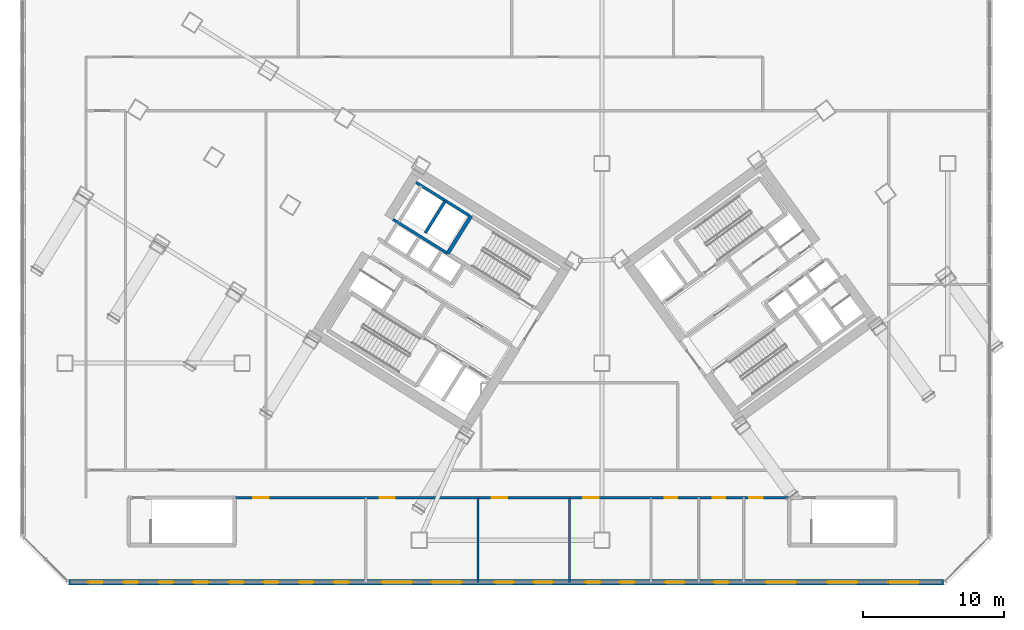
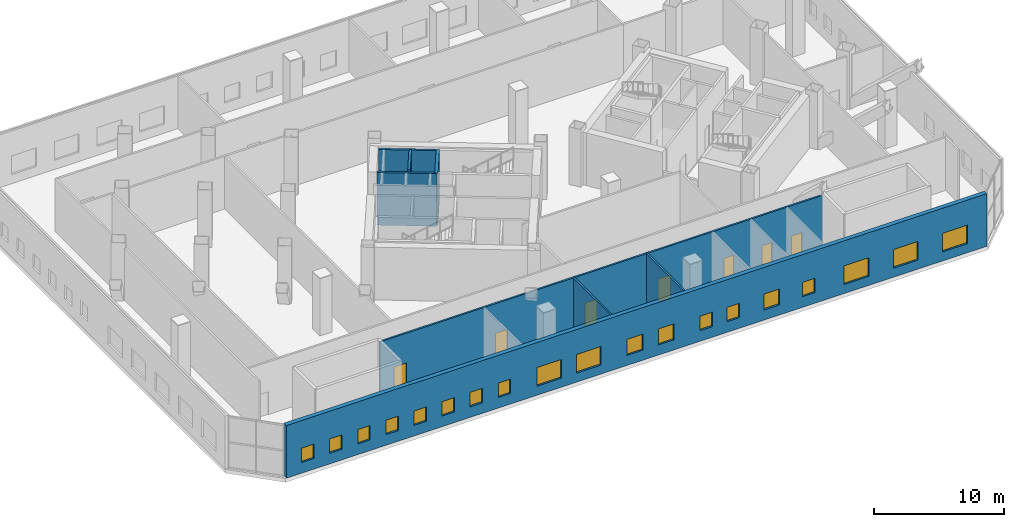
# One storey, part 14 of 23: 19 windows, 8 walls, 7 doors, 26 openings.
"""IFC4 building model written with IfcOpenShell, lengths in metres."""

import ifcopenshell
import ifcopenshell.guid

model = None  # the IFC model being written
_history = None  # IfcOwnerHistory: only IFC2X3 demands one
_inside = {}  # id of a spatial element -> (the spatial element, [elements in it])
_under = {}  # id of a project, library or spatial element -> (it, [spatial elements below it])
_declared = {}  # id of a project -> (the project, [libraries it declares])
_typed = {}  # id of a type object -> (the type object, [elements of that type])
_made_of = {}  # id of a material, layer set ... -> (it, [elements and type objects made of it])


def new_model(schema):
    """Start an empty IFC model of exactly this schema.

    Asked for "IFC4X3", IfcOpenShell would pick the latest addendum, in which some entities
    have other attributes; the version numbers below select the first issue.
    IFC2X3 requires an IfcOwnerHistory on every rooted entity: one is made here for all.
    """
    global model, _history
    if schema == "IFC4X3":
        model = ifcopenshell.file(schema_version=(4, 3, 0, 0))
    else:
        model = ifcopenshell.file(schema=schema)
    _inside.clear()
    _under.clear()
    _declared.clear()
    _typed.clear()
    _made_of.clear()
    _history = None
    if model.schema == "IFC2X3":
        org = make("IfcOrganization", Name="unknown")
        user = make(
            "IfcPersonAndOrganization",
            ThePerson=make("IfcPerson", FamilyName="unknown"),
            TheOrganization=org,
        )
        app = make(
            "IfcApplication",
            ApplicationDeveloper=org,
            Version="unknown",
            ApplicationFullName="unknown",
            ApplicationIdentifier="unknown",
        )
        _history = make(
            "IfcOwnerHistory",
            OwningUser=user,
            OwningApplication=app,
            ChangeAction="ADDED",
            CreationDate=0,
        )
    return model


def make(cls, **values):
    """One entity of the class cls with the attributes given. An attribute that is None is left unset."""
    return model.create_entity(
        cls, **{name: value for name, value in values.items() if value is not None}
    )


def rooted(cls, **values):
    """An entity with a GlobalId (a new one), such as an element, a storey or a relation."""
    return make(cls, GlobalId=ifcopenshell.guid.new(), OwnerHistory=_history, **values)


def si_unit(unit_type, name, prefix=None):
    """IfcSIUnit, for example si_unit("LENGTHUNIT", "METRE", prefix="MILLI")."""
    return make("IfcSIUnit", UnitType=unit_type, Prefix=prefix, Name=name)


def assignment(units):
    """IfcUnitAssignment: the units of a project."""
    return None if units is None else make("IfcUnitAssignment", Units=units)


def point(xyz):
    """IfcCartesianPoint."""
    return None if xyz is None else make("IfcCartesianPoint", Coordinates=xyz)


def direction(xyz):
    """IfcDirection."""
    return None if xyz is None else make("IfcDirection", DirectionRatios=xyz)


def frame(location, z_axis=None, x_axis=None):
    """IfcAxis2Placement3D, a coordinate frame: its origin and axes. An axis left out is left unset."""
    return make(
        "IfcAxis2Placement3D",
        Location=point(location),
        Axis=direction(z_axis),
        RefDirection=direction(x_axis),
    )


def frame_2d(location, x_axis=None):
    """IfcAxis2Placement2D, a coordinate frame in the plane: its origin and x axis."""
    return make(
        "IfcAxis2Placement2D", Location=point(location), RefDirection=direction(x_axis)
    )


def origin():
    """The frame at (0, 0, 0) with its axes left unset."""
    return frame((0.0, 0.0, 0.0))


def place(relative_to, where):
    """IfcLocalPlacement: puts the frame where relative to a parent placement (None: the world)."""
    return make(
        "IfcLocalPlacement", PlacementRelTo=relative_to, RelativePlacement=where
    )


def context(
    kind, dimensions, precision=None, world=None, true_north=None, identifier=None
):
    """IfcGeometricRepresentationContext, for example the 3D "Model" context."""
    return make(
        "IfcGeometricRepresentationContext",
        ContextIdentifier=identifier,
        ContextType=kind,
        CoordinateSpaceDimension=dimensions,
        Precision=precision,
        WorldCoordinateSystem=world,
        TrueNorth=true_north,
    )


def subcontext(parent, identifier, kind, view, scale=None):
    """IfcGeometricRepresentationSubContext, for example "Body" below "Model"."""
    return make(
        "IfcGeometricRepresentationSubContext",
        ContextIdentifier=identifier,
        ContextType=kind,
        ParentContext=parent,
        TargetScale=scale,
        TargetView=view,
    )


def project(units=None, contexts=None):
    """IfcProject with its units and contexts."""
    return rooted(
        "IfcProject",
        Name="project",
        RepresentationContexts=contexts,
        UnitsInContext=assignment(units),
    )


def spatial(cls, under=None, at=None, **own):
    """A site, building, storey or space (cls), placed at a placement, below another one or the project."""
    s = rooted(cls, ObjectPlacement=at, **own)
    if under is not None:
        _under.setdefault(under.id(), (under, []))[1].append(s)
    return s


def profile(cls, at=None, kind="AREA", **sizes):
    """A parametric profile (cls). Its sizes go by their IFC names, for example OverallWidth=200.0."""
    return make(cls, ProfileType=kind, Position=at, **sizes)


def rectangle(**sizes):
    """IfcRectangleProfileDef."""
    return profile("IfcRectangleProfileDef", **sizes)


def extrude(swept, where, along, depth):
    """IfcExtrudedAreaSolid: the profile swept, set in the frame where, extruded along a direction by depth."""
    return make(
        "IfcExtrudedAreaSolid",
        SweptArea=swept,
        Position=where,
        ExtrudedDirection=direction(along),
        Depth=depth,
    )


def shape(context_of_items, identifier, shape_type, items):
    """IfcShapeRepresentation: the items that make up one representation, for example the "Body"."""
    return make(
        "IfcShapeRepresentation",
        ContextOfItems=context_of_items,
        RepresentationIdentifier=identifier,
        RepresentationType=shape_type,
        Items=items,
    )


def source(mapping_origin, context_of_items, identifier, shape_type, items):
    """IfcRepresentationMap: a shape defined once, which mapped items show again and again."""
    return make(
        "IfcRepresentationMap",
        MappingOrigin=mapping_origin,
        MappedRepresentation=shape(context_of_items, identifier, shape_type, items),
    )


def transform(
    local_origin,
    x_axis=None,
    y_axis=None,
    z_axis=None,
    scale=None,
    scale2=None,
    scale3=None,
    uniform=True,
):
    """IfcCartesianTransformationOperator3D, or its non-uniform kind. x_axis, y_axis, z_axis: its Axis1, 2, 3."""
    if uniform:
        return make(
            "IfcCartesianTransformationOperator3D",
            Axis1=direction(x_axis),
            Axis2=direction(y_axis),
            LocalOrigin=point(local_origin),
            Scale=scale,
            Axis3=direction(z_axis),
        )
    return make(
        "IfcCartesianTransformationOperator3DnonUniform",
        Axis1=direction(x_axis),
        Axis2=direction(y_axis),
        LocalOrigin=point(local_origin),
        Scale=scale,
        Axis3=direction(z_axis),
        Scale2=scale2,
        Scale3=scale3,
    )


def mapped(mapping_source, mapping_target):
    """IfcMappedItem: shows the shape of a source again, moved by a transform."""
    return make(
        "IfcMappedItem", MappingSource=mapping_source, MappingTarget=mapping_target
    )


def material(Name=None, Category=None):
    """IfcMaterial."""
    return make("IfcMaterial", Name=Name, Category=Category)


def layer(
    of_material, thickness, ventilated=None, Name=None, Category=None, Priority=None
):
    """IfcMaterialLayer: one layer of a wall or slab, of a material (None: an air gap)."""
    return make(
        "IfcMaterialLayer",
        Material=of_material,
        LayerThickness=thickness,
        IsVentilated=ventilated,
        Name=Name,
        Category=Category,
        Priority=Priority,
    )


def layer_set(layers, Name=None):
    """IfcMaterialLayerSet."""
    return make("IfcMaterialLayerSet", MaterialLayers=layers, LayerSetName=Name)


def made_of(thing, what):
    """Note that an element or type object is made of a material, layer set ...; save() writes the relation."""
    if what is not None:
        _made_of.setdefault(what.id(), (what, []))[1].append(thing)
    return thing


def type_object(cls, material=None, **own):
    """A type object (cls), such as IfcWallType, which elements share."""
    return made_of(rooted(cls, **own), material)


def element(
    cls,
    number,
    at=None,
    inside=None,
    cuts=None,
    type_object=None,
    material=None,
    context=None,
    identifier="Body",
    shape_type=None,
    held_by="IfcProductDefinitionShape",
    body=None,
    shapes=None,
    **own,
):
    """One element of the class cls, such as IfcWall. Its Tag is "e" and its number.

    at: its placement. inside: the storey or other place that contains it. cuts: it is an
    opening in that element (IfcRelVoidsElement). A single representation is given by context,
    identifier, shape_type and body (its items); several are given by shapes. held_by: the class
    of the entity that holds the representations. save() writes the other relations.
    """
    e = rooted(cls, Tag="e%d" % number, ObjectPlacement=at, **own)
    if body is not None:
        shapes = [shape(context, identifier, shape_type, body)]
    if shapes is not None:
        e.Representation = make(held_by, Representations=shapes)
    if inside is not None:
        _inside.setdefault(inside.id(), (inside, []))[1].append(e)
    if cuts is not None:
        rooted(
            "IfcRelVoidsElement", RelatingBuildingElement=cuts, RelatedOpeningElement=e
        )
    if type_object is not None:
        _typed.setdefault(type_object.id(), (type_object, []))[1].append(e)
    return made_of(e, material)


def fill(opening, filler):
    """IfcRelFillsElement: the door or window that sits in an opening."""
    return rooted(
        "IfcRelFillsElement",
        RelatingOpeningElement=opening,
        RelatedBuildingElement=filler,
    )


def aggregate(whole, parts):
    """IfcRelAggregates: a whole, such as a stair, and the parts it consists of."""
    return rooted("IfcRelAggregates", RelatingObject=whole, RelatedObjects=parts)


def save(model, path):
    """Write the relations noted so far, then the file.

    IfcRelAggregates (storeys below a building ...), IfcRelContainedInSpatialStructure (elements
    in a storey), IfcRelDefinesByType, IfcRelAssociatesMaterial and IfcRelDeclares: one each for
    every whole, place, type object, material and project.
    """
    for whole, parts in _under.values():
        aggregate(whole, parts)
    for where, things in _inside.values():
        rooted(
            "IfcRelContainedInSpatialStructure",
            RelatedElements=things,
            RelatingStructure=where,
        )
    for kind, things in _typed.values():
        rooted("IfcRelDefinesByType", RelatedObjects=things, RelatingType=kind)
    for what, things in _made_of.values():
        rooted("IfcRelAssociatesMaterial", RelatedObjects=things, RelatingMaterial=what)
    for by, libraries in _declared.values():
        rooted("IfcRelDeclares", RelatingContext=by, RelatedDefinitions=libraries)
    model.write(path)


model = new_model("IFC4")

# Units and contexts
model_context = context("Model", 3, precision=1e-05, world=origin(), true_north=direction((0.0, 1.0)))
body_context = subcontext(model_context, "Body", "Model", "MODEL_VIEW")
ifc_project = project(units=[si_unit("LENGTHUNIT", "METRE"), si_unit("AREAUNIT", "SQUARE_METRE"), si_unit("VOLUMEUNIT", "CUBIC_METRE"), si_unit("PLANEANGLEUNIT", "RADIAN"), si_unit("MASSUNIT", "GRAM", prefix="KILO")], contexts=[model_context])

# Site, building, storey
site_placement = place(None, origin())
site = spatial("IfcSite", under=ifc_project, at=site_placement, CompositionType="ELEMENT")
building_placement = place(site_placement, origin())
building = spatial("IfcBuilding", under=site, at=building_placement, Name="Tlacorven Tower", CompositionType="ELEMENT")
storey_placement = place(building_placement, frame((0.0, 0.0, 18.60009765625)))
storey = spatial("IfcBuildingStorey", under=building, at=storey_placement, Name="L04", CompositionType="ELEMENT", Elevation=18.60009765625)

# Wall, openings, doors
ifc_material_1 = material(Name="Gypsum plasterboard acoustic partition", Category="gypsum")
ifc_layer_1 = layer(ifc_material_1, 0.159912109375)
ifc_layer_set_1 = layer_set([ifc_layer_1], Name="Gypsum plasterboard acoustic partition")
wall_type_1 = type_object("IfcWallType", Name="WL-DEM-160", PredefinedType="PARTITIONING", material=ifc_layer_set_1)
wall_1_placement = place(storey_placement, frame((16.739990234375, 7.6201171875, 0.0), z_axis=(0.0, 0.0, 1.0), x_axis=(1.0, 0.0, 0.0)))
wall_1 = element("IfcWall", 1, at=wall_1_placement, inside=storey, type_object=wall_type_1, Name="L04 partition 63", PredefinedType="PARTITIONING", context=body_context, shape_type="SweptSolid", body=[
    extrude(rectangle(XDim=39.320068359375, YDim=0.159912109375, at=frame_2d((19.66015625, 0.0))), origin(), (0.0, 0.0, 1.0), 4.93994140625),
])
opening_1_placement = place(wall_1_placement, frame((1.260009765625, 0.0, 0.0)))
opening_1 = element("IfcOpeningElement", 2, at=opening_1_placement, cuts=wall_1, Name="Opening D15", PredefinedType="OPENING", context=body_context, shape_type="SweptSolid", body=[
    extrude(rectangle(XDim=1.080078125, YDim=2.14990234375, at=frame_2d((0.5400390625, 1.074951171875))), frame((0.0, 0.08984375, 0.0), z_axis=(0.0, -1.0, 0.0), x_axis=(1.0, 0.0, 0.0)), (0.0, 0.0, 1.0), 0.179931640625),
])
opening_2_placement = place(wall_1_placement, frame((10.239990234375, 0.0, 0.0)))
opening_2 = element("IfcOpeningElement", 3, at=opening_2_placement, cuts=wall_1, Name="Opening D15", PredefinedType="OPENING", context=body_context, shape_type="SweptSolid", body=[
    extrude(rectangle(XDim=1.080078125, YDim=2.14990234375, at=frame_2d((0.5400390625, 1.074951171875))), frame((0.0, 0.08984375, 0.0), z_axis=(0.0, -1.0, 0.0), x_axis=(1.0, 0.0, 0.0)), (0.0, 0.0, 1.0), 0.179931640625),
])
opening_3_placement = place(wall_1_placement, frame((18.239990234375, 0.0, 0.0)))
opening_3 = element("IfcOpeningElement", 4, at=opening_3_placement, cuts=wall_1, Name="Opening D15", PredefinedType="OPENING", context=body_context, shape_type="SweptSolid", body=[
    extrude(rectangle(XDim=1.080078125, YDim=2.14990234375, at=frame_2d((0.5400390625, 1.074951171875))), frame((0.0, 0.08984375, 0.0), z_axis=(0.0, -1.0, 0.0), x_axis=(1.0, 0.0, 0.0)), (0.0, 0.0, 1.0), 0.179931640625),
])
opening_4_placement = place(wall_1_placement, frame((24.739990234375, 0.0, 0.0)))
opening_4 = element("IfcOpeningElement", 5, at=opening_4_placement, cuts=wall_1, Name="Opening D15", PredefinedType="OPENING", context=body_context, shape_type="SweptSolid", body=[
    extrude(rectangle(XDim=1.080078125, YDim=2.14990234375, at=frame_2d((0.5400390625, 1.074951171875))), frame((0.0, 0.08984375, 0.0), z_axis=(0.0, -1.0, 0.0), x_axis=(1.0, 0.0, 0.0)), (0.0, 0.0, 1.0), 0.179931640625),
])
opening_5_placement = place(wall_1_placement, frame((30.5400390625, 0.0, 0.0)))
opening_5 = element("IfcOpeningElement", 6, at=opening_5_placement, cuts=wall_1, Name="Opening D13", PredefinedType="OPENING", context=body_context, shape_type="SweptSolid", body=[
    extrude(rectangle(XDim=0.8798828125, YDim=2.080078125, at=frame_2d((0.43994140625, 1.0400390625))), frame((0.0, 0.08984375, 0.0), z_axis=(0.0, -1.0, 0.0), x_axis=(1.0, 0.0, 0.0)), (0.0, 0.0, 1.0), 0.179931640625),
])
opening_6_placement = place(wall_1_placement, frame((33.93994140625, 0.0, 0.0)))
opening_6 = element("IfcOpeningElement", 7, at=opening_6_placement, cuts=wall_1, Name="Opening D13", PredefinedType="OPENING", context=body_context, shape_type="SweptSolid", body=[
    extrude(rectangle(XDim=0.8798828125, YDim=2.080078125, at=frame_2d((0.43994140625, 1.0400390625))), frame((0.0, 0.08984375, 0.0), z_axis=(0.0, -1.0, 0.0), x_axis=(1.0, 0.0, 0.0)), (0.0, 0.0, 1.0), 0.179931640625),
])
opening_7_placement = place(wall_1_placement, frame((36.5400390625, 0.0, 0.0)))
opening_7 = element("IfcOpeningElement", 8, at=opening_7_placement, cuts=wall_1, Name="Opening D14", PredefinedType="OPENING", context=body_context, shape_type="SweptSolid", body=[
    extrude(rectangle(XDim=0.9599609375, YDim=2.080078125, at=frame_2d((0.47998046875, 1.0400390625))), frame((0.0, 0.08984375, 0.0), z_axis=(0.0, -1.0, 0.0), x_axis=(1.0, 0.0, 0.0)), (0.0, 0.0, 1.0), 0.179931640625),
])
ifc_material_2 = material(Name="Powder-coated aluminium and timber door", Category="wood")
door_type_1 = type_object("IfcDoorType", Name="DR-INT-WET-0880", OperationType="NOTDEFINED", PredefinedType="DOOR", material=ifc_material_2)
shared_shape_1 = source(origin(), body_context, "Body", "SweptSolid", [
    extrude(rectangle(XDim=0.8798828125, YDim=2.080078125, at=frame_2d((0.43994140625, 1.0400390625))), frame((0.0, 0.02490234375, 0.0), z_axis=(0.0, -1.0, 0.0), x_axis=(1.0, 0.0, 0.0)), (0.0, 0.0, 1.0), 0.050048828125),
])
door_1_placement = place(opening_5_placement, frame((0.8798828125, 0.0, 0.0), z_axis=(0.0, 0.0, 1.0), x_axis=(-1.0, 0.0, 0.0)))
door_1 = element("IfcDoor", 9, at=door_1_placement, inside=storey, type_object=door_type_1, Name="L04 door 028", OperationType="SINGLE_SWING_RIGHT", OverallHeight=2.080078125, OverallWidth=0.8798828125, PredefinedType="DOOR", context=body_context, shape_type="MappedRepresentation", body=[
    mapped(shared_shape_1, transform((0.0, 0.0, 0.0), scale=1.0)),
])
fill(opening_5, door_1)
door_2_placement = place(opening_6_placement, frame((0.8798828125, 0.0, 0.0), z_axis=(0.0, 0.0, 1.0), x_axis=(-1.0, 0.0, 0.0)))
door_2 = element("IfcDoor", 10, at=door_2_placement, inside=storey, type_object=door_type_1, Name="L04 door 029", OperationType="SINGLE_SWING_LEFT", OverallHeight=2.080078125, OverallWidth=0.8798828125, PredefinedType="DOOR", context=body_context, shape_type="MappedRepresentation", body=[
    mapped(shared_shape_1, transform((0.0, 0.0, 0.0), scale=1.0)),
])
fill(opening_6, door_2)
door_type_2 = type_object("IfcDoorType", Name="DR-INT-AWC-0960", OperationType="NOTDEFINED", PredefinedType="DOOR", material=ifc_material_2)
shared_shape_2 = source(origin(), body_context, "Body", "SweptSolid", [
    extrude(rectangle(XDim=0.9599609375, YDim=2.080078125, at=frame_2d((0.47998046875, 1.0400390625))), frame((0.0, 0.02490234375, 0.0), z_axis=(0.0, -1.0, 0.0), x_axis=(1.0, 0.0, 0.0)), (0.0, 0.0, 1.0), 0.050048828125),
])
door_3_placement = place(opening_7_placement, frame((0.9599609375, 0.0, 0.0), z_axis=(0.0, 0.0, 1.0), x_axis=(-1.0, 0.0, 0.0)))
door_3 = element("IfcDoor", 11, at=door_3_placement, inside=storey, type_object=door_type_2, Name="L04 door 030", OperationType="SINGLE_SWING_RIGHT", OverallHeight=2.080078125, OverallWidth=0.9599609375, PredefinedType="DOOR", context=body_context, shape_type="MappedRepresentation", body=[
    mapped(shared_shape_2, transform((0.0, 0.0, 0.0), scale=1.0)),
])
fill(opening_7, door_3)
ifc_material_3 = material(Name="Fire-rated steel door assembly", Category="steel")
door_type_3 = type_object("IfcDoorType", Name="DR-CLN-CONS-1080", OperationType="NOTDEFINED", PredefinedType="DOOR", material=ifc_material_3)
shared_shape_3 = source(origin(), body_context, "Body", "SweptSolid", [
    extrude(rectangle(XDim=1.080078125, YDim=2.14990234375, at=frame_2d((0.5400390625, 1.074951171875))), frame((0.0, 0.02490234375, 0.0), z_axis=(0.0, -1.0, 0.0), x_axis=(1.0, 0.0, 0.0)), (0.0, 0.0, 1.0), 0.050048828125),
])
door_4_placement = place(opening_1_placement, frame((1.080078125, 0.0, 0.0), z_axis=(0.0, 0.0, 1.0), x_axis=(-1.0, 0.0, 0.0)))
door_4 = element("IfcDoor", 12, at=door_4_placement, inside=storey, type_object=door_type_3, Name="L04 door 024", OperationType="SINGLE_SWING_RIGHT", OverallHeight=2.14990234375, OverallWidth=1.080078125, PredefinedType="DOOR", context=body_context, shape_type="MappedRepresentation", body=[
    mapped(shared_shape_3, transform((0.0, 0.0, 0.0), scale=1.0)),
])
fill(opening_1, door_4)
door_5_placement = place(opening_2_placement, frame((1.080078125, 0.0, 0.0), z_axis=(0.0, 0.0, 1.0), x_axis=(-1.0, 0.0, 0.0)))
door_5 = element("IfcDoor", 13, at=door_5_placement, inside=storey, type_object=door_type_3, Name="L04 door 025", OperationType="SINGLE_SWING_LEFT", OverallHeight=2.14990234375, OverallWidth=1.080078125, PredefinedType="DOOR", context=body_context, shape_type="MappedRepresentation", body=[
    mapped(shared_shape_3, transform((0.0, 0.0, 0.0), scale=1.0)),
])
fill(opening_2, door_5)
door_6_placement = place(opening_3_placement, frame((1.080078125, 0.0, 0.0), z_axis=(0.0, 0.0, 1.0), x_axis=(-1.0, 0.0, 0.0)))
door_6 = element("IfcDoor", 14, at=door_6_placement, inside=storey, type_object=door_type_3, Name="L04 door 026", OperationType="SINGLE_SWING_RIGHT", OverallHeight=2.14990234375, OverallWidth=1.080078125, PredefinedType="DOOR", context=body_context, shape_type="MappedRepresentation", body=[
    mapped(shared_shape_3, transform((0.0, 0.0, 0.0), scale=1.0)),
])
fill(opening_3, door_6)
door_7_placement = place(opening_4_placement, frame((1.080078125, 0.0, 0.0), z_axis=(0.0, 0.0, 1.0), x_axis=(-1.0, 0.0, 0.0)))
door_7 = element("IfcDoor", 15, at=door_7_placement, inside=storey, type_object=door_type_3, Name="L04 door 027", OperationType="SINGLE_SWING_LEFT", OverallHeight=2.14990234375, OverallWidth=1.080078125, PredefinedType="DOOR", context=body_context, shape_type="MappedRepresentation", body=[
    mapped(shared_shape_3, transform((0.0, 0.0, 0.0), scale=1.0)),
])
fill(opening_4, door_7)

# Walls
for number, where, z_axis, x_axis, name in (
    (16, (33.989990234375, 1.60009765625, 0.0), (0.0, 0.0, 1.0), (0.0, 1.0, 0.0), "L04 partition 68"),
    (17, (40.489990234375, 1.60009765625, 0.0), (0.0, 0.0, 1.0), (0.0, 1.0, 0.0), "L04 partition 69"),
):
    element("IfcWall", number, at=place(storey_placement, frame(where, z_axis=z_axis, x_axis=x_axis)), inside=storey, type_object=wall_type_1, Name=name, PredefinedType="PARTITIONING", context=body_context, shape_type="SweptSolid", body=[
        extrude(rectangle(XDim=6.02001953125, YDim=0.159912109375, at=frame_2d((3.010009765625, 0.0))), origin(), (0.0, 0.0, 1.0), 4.93994140625),
    ])

# Wall, openings, windows
ifc_material_4 = material(Name="Precast concrete C45/55", Category="concrete")
ifc_layer_2 = layer(ifc_material_4, 0.3798828125)
ifc_layer_set_2 = layer_set([ifc_layer_2], Name="Precast concrete C45/55")
wall_type_2 = type_object("IfcWallType", Name="WL-EXT-380", PredefinedType="STANDARD", material=ifc_layer_set_2)
wall_2_placement = place(storey_placement, frame((67.1171875, 1.60009765625, 0.0), z_axis=(0.0, 0.0, 1.0), x_axis=(-1.0, 0.0, 0.0)))
wall_2 = element("IfcWall", 18, at=wall_2_placement, inside=storey, type_object=wall_type_2, Name="L04 Podium Masonry-Frame Facade Wall 8", PredefinedType="STANDARD", context=body_context, shape_type="SweptSolid", body=[
    extrude(rectangle(XDim=62.234375, YDim=0.3798828125, at=frame_2d((31.1171875, 0.0))), origin(), (0.0, 0.0, 1.0), 4.949951171875),
])
opening_8_placement = place(wall_2_placement, frame((1.734619140625, 0.0, 0.85009765625)))
opening_8 = element("IfcOpeningElement", 19, at=opening_8_placement, cuts=wall_2, Name="Opening WN14", PredefinedType="OPENING", context=body_context, shape_type="SweptSolid", body=[
    extrude(rectangle(XDim=2.199951171875, YDim=1.75, at=frame_2d((1.10009765625, 0.875))), frame((0.0, 0.199951171875, 0.0), z_axis=(0.0, -1.0, 0.0), x_axis=(1.0, 0.0, 0.0)), (0.0, 0.0, 1.0), 0.39990234375),
])
opening_9_placement = place(wall_2_placement, frame((6.103515625, 0.0, 0.85009765625)))
opening_9 = element("IfcOpeningElement", 20, at=opening_9_placement, cuts=wall_2, Name="Opening WN14", PredefinedType="OPENING", context=body_context, shape_type="SweptSolid", body=[
    extrude(rectangle(XDim=2.199951171875, YDim=1.75, at=frame_2d((1.10009765625, 0.875))), frame((0.0, 0.199951171875, 0.0), z_axis=(0.0, -1.0, 0.0), x_axis=(1.0, 0.0, 0.0)), (0.0, 0.0, 1.0), 0.39990234375),
])
opening_10_placement = place(wall_2_placement, frame((10.47265625, 0.0, 0.85009765625)))
opening_10 = element("IfcOpeningElement", 21, at=opening_10_placement, cuts=wall_2, Name="Opening WN14", PredefinedType="OPENING", context=body_context, shape_type="SweptSolid", body=[
    extrude(rectangle(XDim=2.199951171875, YDim=1.75, at=frame_2d((1.10009765625, 0.875))), frame((0.0, 0.199951171875, 0.0), z_axis=(0.0, -1.0, 0.0), x_axis=(1.0, 0.0, 0.0)), (0.0, 0.0, 1.0), 0.39990234375),
])
opening_11_placement = place(wall_2_placement, frame((15.277099609375, 0.0, 1.0)))
opening_11 = element("IfcOpeningElement", 22, at=opening_11_placement, cuts=wall_2, Name="Opening WN16", PredefinedType="OPENING", context=body_context, shape_type="SweptSolid", body=[
    extrude(rectangle(XDim=1.10009765625, YDim=1.35009765625, at=frame_2d((0.550048828125, 0.675048828125))), frame((0.0, 0.199951171875, 0.0), z_axis=(0.0, -1.0, 0.0), x_axis=(1.0, 0.0, 0.0)), (0.0, 0.0, 1.0), 0.39990234375),
])
opening_12_placement = place(wall_2_placement, frame((18.422119140625, 0.0, 0.949951171875)))
opening_12 = element("IfcOpeningElement", 23, at=opening_12_placement, cuts=wall_2, Name="Opening WN15", PredefinedType="OPENING", context=body_context, shape_type="SweptSolid", body=[
    extrude(rectangle(XDim=1.39990234375, YDim=1.5, at=frame_2d((0.699951171875, 0.75))), frame((0.0, 0.199951171875, 0.0), z_axis=(0.0, -1.0, 0.0), x_axis=(1.0, 0.0, 0.0)), (0.0, 0.0, 1.0), 0.39990234375),
])
opening_13_placement = place(wall_2_placement, frame((21.96728515625, 0.0, 1.0)))
opening_13 = element("IfcOpeningElement", 24, at=opening_13_placement, cuts=wall_2, Name="Opening WN16", PredefinedType="OPENING", context=body_context, shape_type="SweptSolid", body=[
    extrude(rectangle(XDim=1.10009765625, YDim=1.35009765625, at=frame_2d((0.550048828125, 0.675048828125))), frame((0.0, 0.199951171875, 0.0), z_axis=(0.0, -1.0, 0.0), x_axis=(1.0, 0.0, 0.0)), (0.0, 0.0, 1.0), 0.39990234375),
])
opening_14_placement = place(wall_2_placement, frame((24.38720703125, 0.0, 1.0)))
opening_14 = element("IfcOpeningElement", 25, at=opening_14_placement, cuts=wall_2, Name="Opening WN16", PredefinedType="OPENING", context=body_context, shape_type="SweptSolid", body=[
    extrude(rectangle(XDim=1.10009765625, YDim=1.35009765625, at=frame_2d((0.550048828125, 0.675048828125))), frame((0.0, 0.199951171875, 0.0), z_axis=(0.0, -1.0, 0.0), x_axis=(1.0, 0.0, 0.0)), (0.0, 0.0, 1.0), 0.39990234375),
])
opening_15_placement = place(wall_2_placement, frame((27.792236328125, 0.0, 0.949951171875)))
opening_15 = element("IfcOpeningElement", 26, at=opening_15_placement, cuts=wall_2, Name="Opening WN15", PredefinedType="OPENING", context=body_context, shape_type="SweptSolid", body=[
    extrude(rectangle(XDim=1.39990234375, YDim=1.5, at=frame_2d((0.699951171875, 0.75))), frame((0.0, 0.199951171875, 0.0), z_axis=(0.0, -1.0, 0.0), x_axis=(1.0, 0.0, 0.0)), (0.0, 0.0, 1.0), 0.39990234375),
])
opening_16_placement = place(wall_2_placement, frame((30.562255859375, 0.0, 0.949951171875)))
opening_16 = element("IfcOpeningElement", 27, at=opening_16_placement, cuts=wall_2, Name="Opening WN15", PredefinedType="OPENING", context=body_context, shape_type="SweptSolid", body=[
    extrude(rectangle(XDim=1.39990234375, YDim=1.5, at=frame_2d((0.699951171875, 0.75))), frame((0.0, 0.199951171875, 0.0), z_axis=(0.0, -1.0, 0.0), x_axis=(1.0, 0.0, 0.0)), (0.0, 0.0, 1.0), 0.39990234375),
])
opening_17_placement = place(wall_2_placement, frame((34.26708984375, 0.0, 0.85009765625)))
opening_17 = element("IfcOpeningElement", 28, at=opening_17_placement, cuts=wall_2, Name="Opening WN14", PredefinedType="OPENING", context=body_context, shape_type="SweptSolid", body=[
    extrude(rectangle(XDim=2.199951171875, YDim=1.75, at=frame_2d((1.10009765625, 0.875))), frame((0.0, 0.199951171875, 0.0), z_axis=(0.0, -1.0, 0.0), x_axis=(1.0, 0.0, 0.0)), (0.0, 0.0, 1.0), 0.39990234375),
])
opening_18_placement = place(wall_2_placement, frame((37.787109375, 0.0, 0.85009765625)))
opening_18 = element("IfcOpeningElement", 29, at=opening_18_placement, cuts=wall_2, Name="Opening WN14", PredefinedType="OPENING", context=body_context, shape_type="SweptSolid", body=[
    extrude(rectangle(XDim=2.199951171875, YDim=1.75, at=frame_2d((1.10009765625, 0.875))), frame((0.0, 0.199951171875, 0.0), z_axis=(0.0, -1.0, 0.0), x_axis=(1.0, 0.0, 0.0)), (0.0, 0.0, 1.0), 0.39990234375),
])
opening_19_placement = place(wall_2_placement, frame((42.3056640625, 0.0, 1.0)))
opening_19 = element("IfcOpeningElement", 30, at=opening_19_placement, cuts=wall_2, Name="Opening WN16", PredefinedType="OPENING", context=body_context, shape_type="SweptSolid", body=[
    extrude(rectangle(XDim=1.10009765625, YDim=1.35009765625, at=frame_2d((0.550048828125, 0.675048828125))), frame((0.0, 0.199951171875, 0.0), z_axis=(0.0, -1.0, 0.0), x_axis=(1.0, 0.0, 0.0)), (0.0, 0.0, 1.0), 0.39990234375),
])
opening_20_placement = place(wall_2_placement, frame((44.802978515625, 0.0, 1.0)))
opening_20 = element("IfcOpeningElement", 31, at=opening_20_placement, cuts=wall_2, Name="Opening WN16", PredefinedType="OPENING", context=body_context, shape_type="SweptSolid", body=[
    extrude(rectangle(XDim=1.10009765625, YDim=1.35009765625, at=frame_2d((0.550048828125, 0.675048828125))), frame((0.0, 0.199951171875, 0.0), z_axis=(0.0, -1.0, 0.0), x_axis=(1.0, 0.0, 0.0)), (0.0, 0.0, 1.0), 0.39990234375),
])
opening_21_placement = place(wall_2_placement, frame((47.300048828125, 0.0, 1.0)))
opening_21 = element("IfcOpeningElement", 32, at=opening_21_placement, cuts=wall_2, Name="Opening WN16", PredefinedType="OPENING", context=body_context, shape_type="SweptSolid", body=[
    extrude(rectangle(XDim=1.10009765625, YDim=1.35009765625, at=frame_2d((0.550048828125, 0.675048828125))), frame((0.0, 0.199951171875, 0.0), z_axis=(0.0, -1.0, 0.0), x_axis=(1.0, 0.0, 0.0)), (0.0, 0.0, 1.0), 0.39990234375),
])
opening_22_placement = place(wall_2_placement, frame((49.797119140625, 0.0, 1.0)))
opening_22 = element("IfcOpeningElement", 33, at=opening_22_placement, cuts=wall_2, Name="Opening WN16", PredefinedType="OPENING", context=body_context, shape_type="SweptSolid", body=[
    extrude(rectangle(XDim=1.10009765625, YDim=1.35009765625, at=frame_2d((0.550048828125, 0.675048828125))), frame((0.0, 0.199951171875, 0.0), z_axis=(0.0, -1.0, 0.0), x_axis=(1.0, 0.0, 0.0)), (0.0, 0.0, 1.0), 0.39990234375),
])
opening_23_placement = place(wall_2_placement, frame((52.294189453125, 0.0, 1.0)))
opening_23 = element("IfcOpeningElement", 34, at=opening_23_placement, cuts=wall_2, Name="Opening WN16", PredefinedType="OPENING", context=body_context, shape_type="SweptSolid", body=[
    extrude(rectangle(XDim=1.10009765625, YDim=1.35009765625, at=frame_2d((0.550048828125, 0.675048828125))), frame((0.0, 0.199951171875, 0.0), z_axis=(0.0, -1.0, 0.0), x_axis=(1.0, 0.0, 0.0)), (0.0, 0.0, 1.0), 0.39990234375),
])
opening_24_placement = place(wall_2_placement, frame((54.79150390625, 0.0, 1.0)))
opening_24 = element("IfcOpeningElement", 35, at=opening_24_placement, cuts=wall_2, Name="Opening WN16", PredefinedType="OPENING", context=body_context, shape_type="SweptSolid", body=[
    extrude(rectangle(XDim=1.10009765625, YDim=1.35009765625, at=frame_2d((0.550048828125, 0.675048828125))), frame((0.0, 0.199951171875, 0.0), z_axis=(0.0, -1.0, 0.0), x_axis=(1.0, 0.0, 0.0)), (0.0, 0.0, 1.0), 0.39990234375),
])
opening_25_placement = place(wall_2_placement, frame((57.28857421875, 0.0, 1.0)))
opening_25 = element("IfcOpeningElement", 36, at=opening_25_placement, cuts=wall_2, Name="Opening WN16", PredefinedType="OPENING", context=body_context, shape_type="SweptSolid", body=[
    extrude(rectangle(XDim=1.10009765625, YDim=1.35009765625, at=frame_2d((0.550048828125, 0.675048828125))), frame((0.0, 0.199951171875, 0.0), z_axis=(0.0, -1.0, 0.0), x_axis=(1.0, 0.0, 0.0)), (0.0, 0.0, 1.0), 0.39990234375),
])
opening_26_placement = place(wall_2_placement, frame((59.78564453125, 0.0, 1.0)))
opening_26 = element("IfcOpeningElement", 37, at=opening_26_placement, cuts=wall_2, Name="Opening WN16", PredefinedType="OPENING", context=body_context, shape_type="SweptSolid", body=[
    extrude(rectangle(XDim=1.10009765625, YDim=1.35009765625, at=frame_2d((0.550048828125, 0.675048828125))), frame((0.0, 0.199951171875, 0.0), z_axis=(0.0, -1.0, 0.0), x_axis=(1.0, 0.0, 0.0)), (0.0, 0.0, 1.0), 0.39990234375),
])
ifc_material_5 = material(Name="Dark solar low-E double glazing in anodised aluminium frame", Category="aluminium")
window_type_1 = type_object("IfcWindowType", Name="WN-CLN-2200X1850", PartitioningType="SINGLE_PANEL", PredefinedType="WINDOW", material=ifc_material_5)
shared_shape_4 = source(origin(), body_context, "Body", "SweptSolid", [
    extrude(rectangle(XDim=2.199951171875, YDim=1.75, at=frame_2d((1.10009765625, 0.875))), frame((0.0, 0.030029296875, 0.0), z_axis=(0.0, -1.0, 0.0), x_axis=(1.0, 0.0, 0.0)), (0.0, 0.0, 1.0), 0.06005859375),
])
window_1_placement = place(opening_8_placement, origin())
window_1 = element("IfcWindow", 38, at=window_1_placement, inside=storey, type_object=window_type_1, Name="L04 Podium Recessed Facade Window 8.1", OverallHeight=1.75, OverallWidth=2.199951171875, PartitioningType="SINGLE_PANEL", PredefinedType="WINDOW", context=body_context, shape_type="MappedRepresentation", body=[
    mapped(shared_shape_4, transform((0.0, 0.0, 0.0), scale=1.0)),
])
fill(opening_8, window_1)
window_2_placement = place(opening_9_placement, origin())
window_2 = element("IfcWindow", 39, at=window_2_placement, inside=storey, type_object=window_type_1, Name="L04 Podium Recessed Facade Window 8.2", OverallHeight=1.75, OverallWidth=2.199951171875, PartitioningType="SINGLE_PANEL", PredefinedType="WINDOW", context=body_context, shape_type="MappedRepresentation", body=[
    mapped(shared_shape_4, transform((0.0, 0.0, 0.0), scale=1.0)),
])
fill(opening_9, window_2)
window_3_placement = place(opening_10_placement, origin())
window_3 = element("IfcWindow", 40, at=window_3_placement, inside=storey, type_object=window_type_1, Name="L04 Podium Recessed Facade Window 8.3", OverallHeight=1.75, OverallWidth=2.199951171875, PartitioningType="SINGLE_PANEL", PredefinedType="WINDOW", context=body_context, shape_type="MappedRepresentation", body=[
    mapped(shared_shape_4, transform((0.0, 0.0, 0.0), scale=1.0)),
])
fill(opening_10, window_3)
window_4_placement = place(opening_17_placement, origin())
window_4 = element("IfcWindow", 41, at=window_4_placement, inside=storey, type_object=window_type_1, Name="L04 Podium Recessed Facade Window 8.10", OverallHeight=1.75, OverallWidth=2.199951171875, PartitioningType="SINGLE_PANEL", PredefinedType="WINDOW", context=body_context, shape_type="MappedRepresentation", body=[
    mapped(shared_shape_4, transform((0.0, 0.0, 0.0), scale=1.0)),
])
fill(opening_17, window_4)
window_5_placement = place(opening_18_placement, origin())
window_5 = element("IfcWindow", 42, at=window_5_placement, inside=storey, type_object=window_type_1, Name="L04 Podium Recessed Facade Window 8.11", OverallHeight=1.75, OverallWidth=2.199951171875, PartitioningType="SINGLE_PANEL", PredefinedType="WINDOW", context=body_context, shape_type="MappedRepresentation", body=[
    mapped(shared_shape_4, transform((0.0, 0.0, 0.0), scale=1.0)),
])
fill(opening_18, window_5)
window_type_2 = type_object("IfcWindowType", Name="WN-CLN-1100X1400", PartitioningType="SINGLE_PANEL", PredefinedType="WINDOW", material=ifc_material_5)
shared_shape_5 = source(origin(), body_context, "Body", "SweptSolid", [
    extrude(rectangle(XDim=1.10009765625, YDim=1.35009765625, at=frame_2d((0.550048828125, 0.675048828125))), frame((0.0, 0.030029296875, 0.0), z_axis=(0.0, -1.0, 0.0), x_axis=(1.0, 0.0, 0.0)), (0.0, 0.0, 1.0), 0.06005859375),
])
window_6_placement = place(opening_11_placement, origin())
window_6 = element("IfcWindow", 43, at=window_6_placement, inside=storey, type_object=window_type_2, Name="L04 Podium Recessed Facade Window 8.4", OverallHeight=1.35009765625, OverallWidth=1.10009765625, PartitioningType="SINGLE_PANEL", PredefinedType="WINDOW", context=body_context, shape_type="MappedRepresentation", body=[
    mapped(shared_shape_5, transform((0.0, 0.0, 0.0), scale=1.0)),
])
fill(opening_11, window_6)
window_7_placement = place(opening_13_placement, origin())
window_7 = element("IfcWindow", 44, at=window_7_placement, inside=storey, type_object=window_type_2, Name="L04 Podium Recessed Facade Window 8.6", OverallHeight=1.35009765625, OverallWidth=1.10009765625, PartitioningType="SINGLE_PANEL", PredefinedType="WINDOW", context=body_context, shape_type="MappedRepresentation", body=[
    mapped(shared_shape_5, transform((0.0, 0.0, 0.0), scale=1.0)),
])
fill(opening_13, window_7)
window_8_placement = place(opening_14_placement, origin())
window_8 = element("IfcWindow", 45, at=window_8_placement, inside=storey, type_object=window_type_2, Name="L04 Podium Recessed Facade Window 8.7", OverallHeight=1.35009765625, OverallWidth=1.10009765625, PartitioningType="SINGLE_PANEL", PredefinedType="WINDOW", context=body_context, shape_type="MappedRepresentation", body=[
    mapped(shared_shape_5, transform((0.0, 0.0, 0.0), scale=1.0)),
])
fill(opening_14, window_8)
window_9_placement = place(opening_19_placement, origin())
window_9 = element("IfcWindow", 46, at=window_9_placement, inside=storey, type_object=window_type_2, Name="L04 Podium Recessed Facade Window 8.12", OverallHeight=1.35009765625, OverallWidth=1.10009765625, PartitioningType="SINGLE_PANEL", PredefinedType="WINDOW", context=body_context, shape_type="MappedRepresentation", body=[
    mapped(shared_shape_5, transform((0.0, 0.0, 0.0), scale=1.0)),
])
fill(opening_19, window_9)
window_10_placement = place(opening_20_placement, origin())
window_10 = element("IfcWindow", 47, at=window_10_placement, inside=storey, type_object=window_type_2, Name="L04 Podium Recessed Facade Window 8.13", OverallHeight=1.35009765625, OverallWidth=1.10009765625, PartitioningType="SINGLE_PANEL", PredefinedType="WINDOW", context=body_context, shape_type="MappedRepresentation", body=[
    mapped(shared_shape_5, transform((0.0, 0.0, 0.0), scale=1.0)),
])
fill(opening_20, window_10)
window_11_placement = place(opening_21_placement, origin())
window_11 = element("IfcWindow", 48, at=window_11_placement, inside=storey, type_object=window_type_2, Name="L04 Podium Recessed Facade Window 8.14", OverallHeight=1.35009765625, OverallWidth=1.10009765625, PartitioningType="SINGLE_PANEL", PredefinedType="WINDOW", context=body_context, shape_type="MappedRepresentation", body=[
    mapped(shared_shape_5, transform((0.0, 0.0, 0.0), scale=1.0)),
])
fill(opening_21, window_11)
window_12_placement = place(opening_22_placement, origin())
window_12 = element("IfcWindow", 49, at=window_12_placement, inside=storey, type_object=window_type_2, Name="L04 Podium Recessed Facade Window 8.15", OverallHeight=1.35009765625, OverallWidth=1.10009765625, PartitioningType="SINGLE_PANEL", PredefinedType="WINDOW", context=body_context, shape_type="MappedRepresentation", body=[
    mapped(shared_shape_5, transform((0.0, 0.0, 0.0), scale=1.0)),
])
fill(opening_22, window_12)
window_13_placement = place(opening_23_placement, origin())
window_13 = element("IfcWindow", 50, at=window_13_placement, inside=storey, type_object=window_type_2, Name="L04 Podium Recessed Facade Window 8.16", OverallHeight=1.35009765625, OverallWidth=1.10009765625, PartitioningType="SINGLE_PANEL", PredefinedType="WINDOW", context=body_context, shape_type="MappedRepresentation", body=[
    mapped(shared_shape_5, transform((0.0, 0.0, 0.0), scale=1.0)),
])
fill(opening_23, window_13)
window_14_placement = place(opening_24_placement, origin())
window_14 = element("IfcWindow", 51, at=window_14_placement, inside=storey, type_object=window_type_2, Name="L04 Podium Recessed Facade Window 8.17", OverallHeight=1.35009765625, OverallWidth=1.10009765625, PartitioningType="SINGLE_PANEL", PredefinedType="WINDOW", context=body_context, shape_type="MappedRepresentation", body=[
    mapped(shared_shape_5, transform((0.0, 0.0, 0.0), scale=1.0)),
])
fill(opening_24, window_14)
window_15_placement = place(opening_25_placement, origin())
window_15 = element("IfcWindow", 52, at=window_15_placement, inside=storey, type_object=window_type_2, Name="L04 Podium Recessed Facade Window 8.18", OverallHeight=1.35009765625, OverallWidth=1.10009765625, PartitioningType="SINGLE_PANEL", PredefinedType="WINDOW", context=body_context, shape_type="MappedRepresentation", body=[
    mapped(shared_shape_5, transform((0.0, 0.0, 0.0), scale=1.0)),
])
fill(opening_25, window_15)
window_16_placement = place(opening_26_placement, origin())
window_16 = element("IfcWindow", 53, at=window_16_placement, inside=storey, type_object=window_type_2, Name="L04 Podium Recessed Facade Window 8.19", OverallHeight=1.35009765625, OverallWidth=1.10009765625, PartitioningType="SINGLE_PANEL", PredefinedType="WINDOW", context=body_context, shape_type="MappedRepresentation", body=[
    mapped(shared_shape_5, transform((0.0, 0.0, 0.0), scale=1.0)),
])
fill(opening_26, window_16)
window_type_3 = type_object("IfcWindowType", Name="WN-CLN-1400X1600", PartitioningType="SINGLE_PANEL", PredefinedType="WINDOW", material=ifc_material_5)
shared_shape_6 = source(origin(), body_context, "Body", "SweptSolid", [
    extrude(rectangle(XDim=1.39990234375, YDim=1.5, at=frame_2d((0.699951171875, 0.75))), frame((0.0, 0.030029296875, 0.0), z_axis=(0.0, -1.0, 0.0), x_axis=(1.0, 0.0, 0.0)), (0.0, 0.0, 1.0), 0.06005859375),
])
window_17_placement = place(opening_12_placement, origin())
window_17 = element("IfcWindow", 54, at=window_17_placement, inside=storey, type_object=window_type_3, Name="L04 Podium Recessed Facade Window 8.5", OverallHeight=1.5, OverallWidth=1.39990234375, PartitioningType="SINGLE_PANEL", PredefinedType="WINDOW", context=body_context, shape_type="MappedRepresentation", body=[
    mapped(shared_shape_6, transform((0.0, 0.0, 0.0), scale=1.0)),
])
fill(opening_12, window_17)
window_18_placement = place(opening_15_placement, origin())
window_18 = element("IfcWindow", 55, at=window_18_placement, inside=storey, type_object=window_type_3, Name="L04 Podium Recessed Facade Window 8.8", OverallHeight=1.5, OverallWidth=1.39990234375, PartitioningType="SINGLE_PANEL", PredefinedType="WINDOW", context=body_context, shape_type="MappedRepresentation", body=[
    mapped(shared_shape_6, transform((0.0, 0.0, 0.0), scale=1.0)),
])
fill(opening_15, window_18)
window_19_placement = place(opening_16_placement, origin())
window_19 = element("IfcWindow", 56, at=window_19_placement, inside=storey, type_object=window_type_3, Name="L04 Podium Recessed Facade Window 8.9", OverallHeight=1.5, OverallWidth=1.39990234375, PartitioningType="SINGLE_PANEL", PredefinedType="WINDOW", context=body_context, shape_type="MappedRepresentation", body=[
    mapped(shared_shape_6, transform((0.0, 0.0, 0.0), scale=1.0)),
])
fill(opening_16, window_19)

# Walls
ifc_material_6 = material(Name="Concrete C40/50", Category="concrete")
ifc_layer_3 = layer(ifc_material_6, 0.199951171875)
ifc_layer_set_3 = layer_set([ifc_layer_3], Name="Concrete C40/50")
wall_type_3 = type_object("IfcWallType", Name="WL-SHF-200", PredefinedType="STANDARD", material=ifc_layer_set_3)
wall_3_placement = place(storey_placement, frame((31.82177734375, 24.99755859375, 0.0), z_axis=(0.0, 0.0, 1.0), x_axis=(-0.848058348634, 0.529902856485, 0.0)))
element("IfcWall", 57, at=wall_3_placement, inside=storey, type_object=wall_type_3, Name="L04 Core W South Lift Shaft Wall", PredefinedType="STANDARD", context=body_context, shape_type="SweptSolid", body=[
    extrude(rectangle(XDim=4.568115234375, YDim=0.199951171875, at=frame_2d((2.2841796875, 0.0))), origin(), (0.0, 0.0, 1.0), 4.93994140625),
])
wall_4_placement = place(storey_placement, frame((31.645263671875, 28.716064453125, 0.0), z_axis=(0.0, 0.0, 1.0), x_axis=(-0.52986693015, -0.848080795876, 0.0)))
element("IfcWall", 58, at=wall_4_placement, inside=storey, type_object=wall_type_3, Name="L04 partition 14", PredefinedType="STANDARD", context=body_context, shape_type="SweptSolid", body=[
    extrude(rectangle(XDim=2.659912109375, YDim=0.199951171875, at=frame_2d((1.330078125, 0.0))), origin(), (0.0, 0.0, 1.0), 4.93994140625),
])
wall_5_placement = place(storey_placement, frame((33.362548828125, 27.690185546875, 0.0), z_axis=(0.0, 0.0, 1.0), x_axis=(-0.848053806312, 0.529910125964, 0.0)))
element("IfcWall", 59, at=wall_5_placement, inside=storey, type_object=wall_type_3, Name="L04 partition 16", PredefinedType="STANDARD", context=body_context, shape_type="SweptSolid", body=[
    extrude(rectangle(XDim=4.44775390625, YDim=0.199951171875, at=frame_2d((2.223876953125, 0.0))), origin(), (0.0, 0.0, 1.0), 4.93994140625),
])
ifc_material_7 = material(Name="Concrete C50/60", Category="concrete")
ifc_layer_4 = layer(ifc_material_7, 0.260009765625)
ifc_layer_set_4 = layer_set([ifc_layer_4], Name="Concrete C50/60")
wall_type_4 = type_object("IfcWallType", Name="WL-STW-260", PredefinedType="SHEAR", material=ifc_layer_set_4)
wall_6_placement = place(storey_placement, frame((33.496337890625, 27.677490234375, 0.0), z_axis=(0.0, 0.0, 1.0), x_axis=(-0.529908658664, -0.84805472316, 0.0)))
element("IfcWall", 60, at=wall_6_placement, inside=storey, type_object=wall_type_4, Name="L04 Stair W2 East Shear Wall", PredefinedType="SHEAR", context=body_context, shape_type="SweptSolid", body=[
    extrude(rectangle(XDim=3.16015625, YDim=0.260009765625, at=frame_2d((1.580078125, 0.0))), origin(), (0.0, 0.0, 1.0), 4.949951171875),
])

save(model, "model.ifc")
